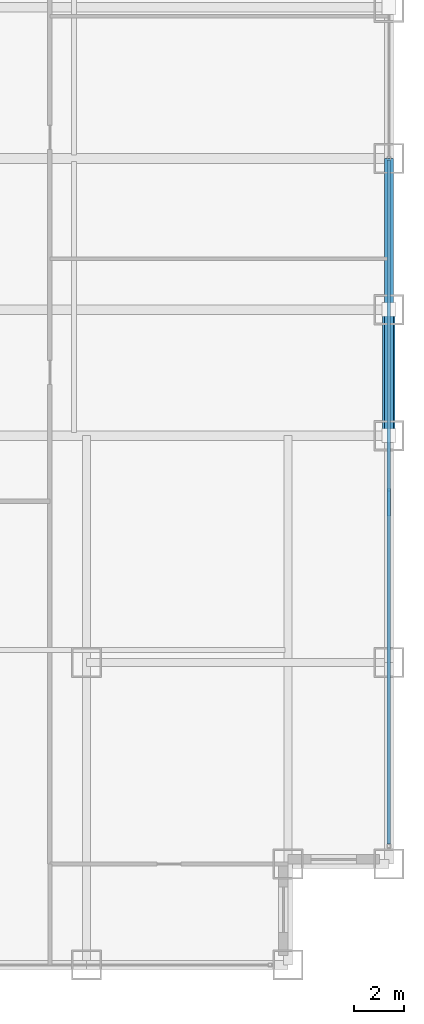
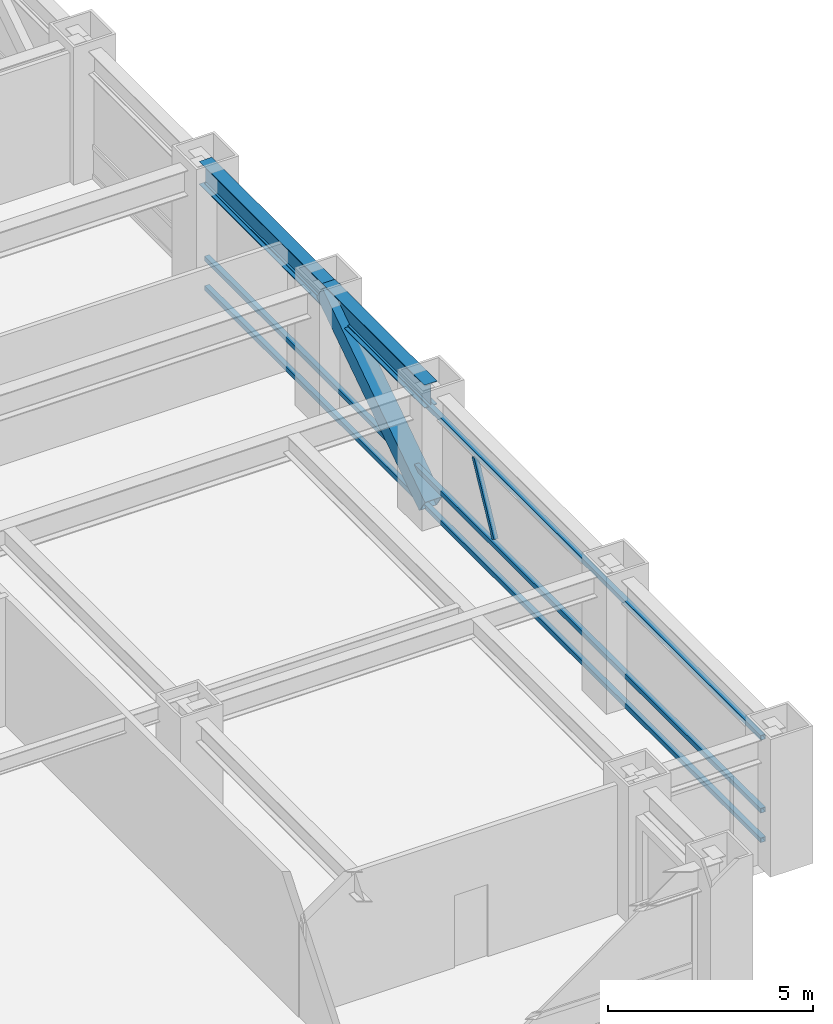
# One storey, part 13 of 27: 5 members, 2 beams, 1 element without a shape of its own.
"""IFC4 building model written with IfcOpenShell, lengths in metres."""

from ifc_helpers import new_model, si_unit, direction, frame, origin, origin_2d, place, context, subcontext, project, spatial, hollow_rectangle, i_section, extrude, source, transform, mapped, material, material_profile, profile_set, type_object, element, aggregate, save


model = new_model("IFC4")

# Units and contexts
model_context = context("Model", 3, precision=1e-05, world=origin(), true_north=direction((0.0, 1.0)))
body_context = subcontext(model_context, "Body", "Model", "MODEL_VIEW")
ifc_project = project(units=[si_unit("LENGTHUNIT", "METRE"), si_unit("AREAUNIT", "SQUARE_METRE"), si_unit("VOLUMEUNIT", "CUBIC_METRE"), si_unit("PLANEANGLEUNIT", "RADIAN"), si_unit("MASSUNIT", "GRAM", prefix="KILO")], contexts=[model_context])

# Site, building, storey
site_placement = place(None, origin())
site = spatial("IfcSite", under=ifc_project, at=site_placement, CompositionType="ELEMENT")
building_placement = place(site_placement, origin())
building = spatial("IfcBuilding", under=site, at=building_placement, Name="Khorayat Bourse Tower", CompositionType="ELEMENT")
storey_placement = place(building_placement, frame((0.0, 0.0, 103.699951171875)))
storey = spatial("IfcBuildingStorey", under=building, at=storey_placement, Name="L23", CompositionType="ELEMENT", Elevation=103.699951171875)

# Beams
ifc_material_1 = material(Name="Steel ASTM A992 Grade 50", Category="steel")
ifc_material_profile_1 = material_profile(ifc_material_1, i_section(OverallWidth=0.35498046875, OverallDepth=0.695068359375, WebThickness=0.015380859375, FlangeThickness=0.02490234375, FilletRadius=0.01806640625, at=origin_2d()), Name="W690X217")
ifc_profile_set_1 = profile_set([ifc_material_profile_1], Name="Steel ASTM A992 Grade 50")
beam_type = type_object("IfcBeamType", Name="BM-SPAN-690", PredefinedType="SPANDREL", material=ifc_profile_set_1)
shared_shape_1 = source(origin(), body_context, "Body", "SweptSolid", [
    extrude(i_section(OverallWidth=0.35498046875, OverallDepth=0.695068359375, WebThickness=0.015380859375, FlangeThickness=0.02490234375, FilletRadius=0.01806640625, at=origin_2d()), origin(), (0.0, 0.0, 1.0), 5.0),
])
beam_1_placement = place(storey_placement, frame((32.0, -11.0, 3.492431640625), z_axis=(0.0, 1.0, 0.0), x_axis=(-1.0, 0.0, 0.0)))
element("IfcBeam", 1, at=beam_1_placement, inside=storey, type_object=beam_type, Name="L23 BM-SPAN-690 BM-L23-SPN-036", PredefinedType="SPANDREL", context=body_context, shape_type="MappedRepresentation", body=[
    mapped(shared_shape_1, transform((0.0, 0.0, 0.0), scale=1.0)),
])
shared_shape_2 = source(origin(), body_context, "Body", "SweptSolid", [
    extrude(i_section(OverallWidth=0.35498046875, OverallDepth=0.695068359375, WebThickness=0.015380859375, FlangeThickness=0.02490234375, FilletRadius=0.01806640625, at=origin_2d()), origin(), (0.0, 0.0, 1.0), 6.0),
])
beam_2_placement = place(storey_placement, frame((32.0, -6.0, 3.492431640625), z_axis=(0.0, 1.0, 0.0), x_axis=(-1.0, 0.0, 0.0)))
element("IfcBeam", 2, at=beam_2_placement, inside=storey, type_object=beam_type, Name="L23 BM-SPAN-690 BM-L23-SPN-037", PredefinedType="SPANDREL", context=body_context, shape_type="MappedRepresentation", body=[
    mapped(shared_shape_2, transform((0.0, 0.0, 0.0), scale=1.0)),
])

# Member
ifc_material_2 = material(Name="Steel EN 10025-4 S460M", Category="steel")
ifc_material_profile_2 = material_profile(ifc_material_2, hollow_rectangle(XDim=0.5, YDim=0.5, WallThickness=0.028076171875, at=origin_2d()), Name="HSS 500x500x28")
ifc_profile_set_2 = profile_set([ifc_material_profile_2], Name="Steel EN 10025-4 S460M")
member_type_1 = type_object("IfcMemberType", Name="MBR-TUBE-500", PredefinedType="BRACE", material=ifc_profile_set_2)
shared_shape_3 = source(origin(), body_context, "Body", "SweptSolid", [
    extrude(hollow_rectangle(XDim=0.5, YDim=0.5, WallThickness=0.028076171875, at=origin_2d()), origin(), (0.0, 0.0, 1.0), 6.012939453125),
])
member_1_placement = place(storey_placement, frame((32.0, -11.0, 0.25), z_axis=(0.0, 0.831531473026, 0.555477640745), x_axis=(-1.0, 0.0, 0.0)))
element("IfcMember", 3, at=member_1_placement, inside=storey, type_object=member_type_1, Name="L23 Perimeter Tube Brace 07", PredefinedType="BRACE", context=body_context, shape_type="MappedRepresentation", body=[
    mapped(shared_shape_3, transform((0.0, 0.0, 0.0), scale=1.0)),
])

# Curtain wall, members
ifc_material_3 = material(Name="Aluminium EN AW-6063 T6", Category="aluminium")
curtain_wall_type = type_object("IfcCurtainWallType", Name="CW-SYS-02", PredefinedType="NOTDEFINED", material=ifc_material_3)
curtain_wall_placement = place(storey_placement, origin())
curtain_wall = element("IfcCurtainWall", 4, at=curtain_wall_placement, inside=storey, type_object=curtain_wall_type, Name="L23 Curtain Wall CW-L23-E1", PredefinedType="NOTDEFINED")
ifc_material_profile_3 = material_profile(ifc_material_3, hollow_rectangle(XDim=0.139892578125, YDim=0.139892578125, WallThickness=0.006103515625, at=origin_2d()), Name="ALU 140x140x6")
ifc_profile_set_3 = profile_set([ifc_material_profile_3], Name="Aluminium EN AW-6063 T6")
member_type_2 = type_object("IfcMemberType", Name="CWT-HORZ-140", PredefinedType="USERDEFINED", material=ifc_profile_set_3)
shared_shape_4 = source(origin(), body_context, "Body", "SweptSolid", [
    extrude(hollow_rectangle(XDim=0.139892578125, YDim=0.139892578125, WallThickness=0.006103515625, at=origin_2d()), origin(), (0.0, 0.0, 1.0), 27.139892578125),
])
member_2_placement = place(storey_placement, frame((32.0, -27.2099609375, 0.070068359375), z_axis=(0.0, 1.0, 0.0), x_axis=(-1.0, 0.0, 0.0)))
member_2 = element("IfcMember", 5, at=member_2_placement, type_object=member_type_2, Name="CW-L23-E1 Horizontal Transom 1-1", ObjectType="TRANSOM", PredefinedType="USERDEFINED", context=body_context, shape_type="MappedRepresentation", body=[
    mapped(shared_shape_4, transform((0.0, 0.0, 0.0), scale=1.0)),
])
member_3_placement = place(storey_placement, frame((32.0, -27.2099609375, 0.949951171875), z_axis=(0.0, 1.0, 0.0), x_axis=(-1.0, 0.0, 0.0)))
member_3 = element("IfcMember", 6, at=member_3_placement, type_object=member_type_2, Name="CW-L23-E1 Horizontal Transom 1-2", ObjectType="TRANSOM", PredefinedType="USERDEFINED", context=body_context, shape_type="MappedRepresentation", body=[
    mapped(shared_shape_4, transform((0.0, 0.0, 0.0), scale=1.0)),
])
member_4_placement = place(storey_placement, frame((32.0, -27.2099609375, 3.1201171875), z_axis=(0.0, 1.0, 0.0), x_axis=(-1.0, 0.0, 0.0)))
member_4 = element("IfcMember", 7, at=member_4_placement, type_object=member_type_2, Name="CW-L23-E1 Horizontal Transom 1-3", ObjectType="TRANSOM", PredefinedType="USERDEFINED", context=body_context, shape_type="MappedRepresentation", body=[
    mapped(shared_shape_4, transform((0.0, 0.0, 0.0), scale=1.0)),
])
ifc_material_profile_4 = material_profile(ifc_material_3, hollow_rectangle(XDim=0.1201171875, YDim=0.1201171875, WallThickness=0.0048828125, at=origin_2d()), Name="ALU 120x120x5")
ifc_profile_set_4 = profile_set([ifc_material_profile_4], Name="Aluminium EN AW-6063 T6")
member_type_3 = type_object("IfcMemberType", Name="CWM-DIAG-120", PredefinedType="MULLION", material=ifc_profile_set_4)
shared_shape_5 = source(origin(), body_context, "Body", "SweptSolid", [
    extrude(hollow_rectangle(XDim=0.1201171875, YDim=0.1201171875, WallThickness=0.0048828125, at=origin_2d()), origin(), (0.0, 0.0, 1.0), 2.113037109375),
])
member_5_placement = place(storey_placement, frame((32.0, -14.132080078125, 1.10009765625), z_axis=(0.0, 0.465741670874, 0.884920728659), x_axis=(-1.0, 0.0, 0.0)))
member_5 = element("IfcMember", 8, at=member_5_placement, type_object=member_type_3, Name="CW-L23-E1 Faceted Diagonal Mullion 1", PredefinedType="MULLION", context=body_context, shape_type="MappedRepresentation", body=[
    mapped(shared_shape_5, transform((0.0, 0.0, 0.0), scale=1.0)),
])
aggregate(curtain_wall, [member_2, member_3, member_4, member_5])

save(model, "model.ifc")
